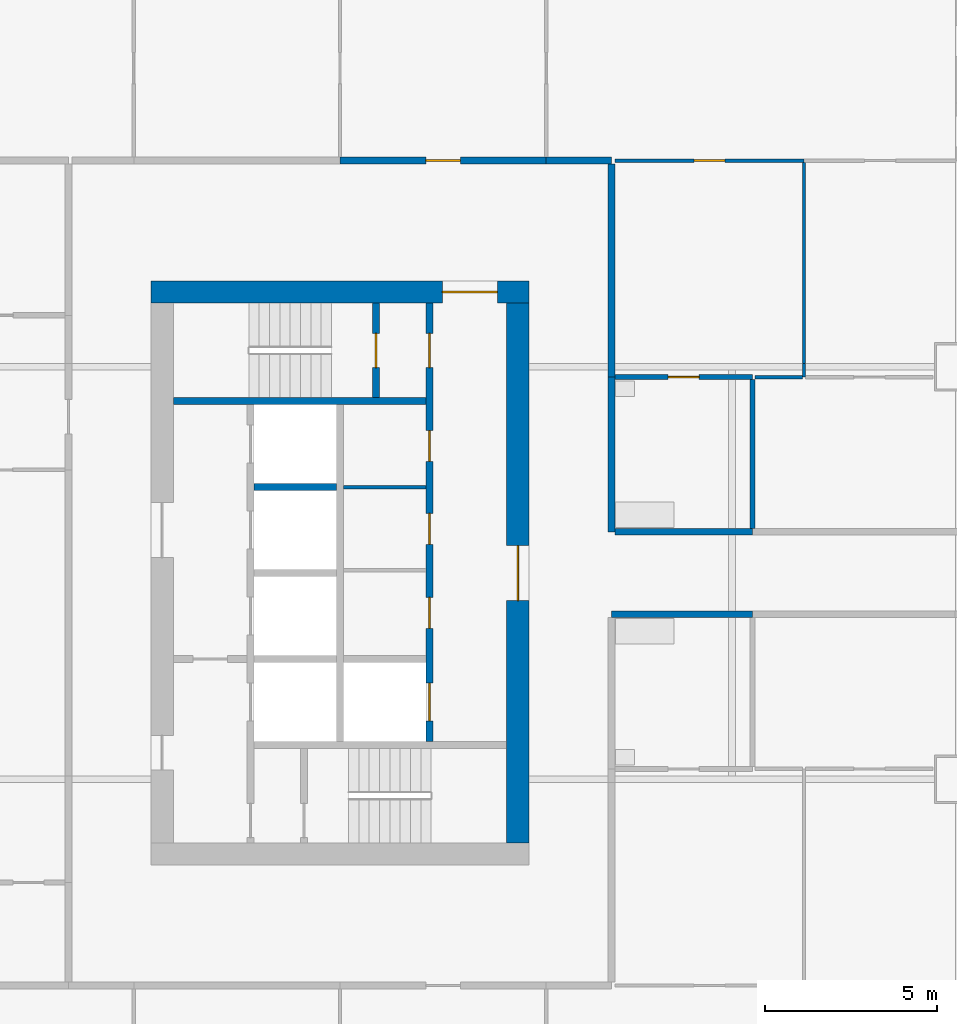
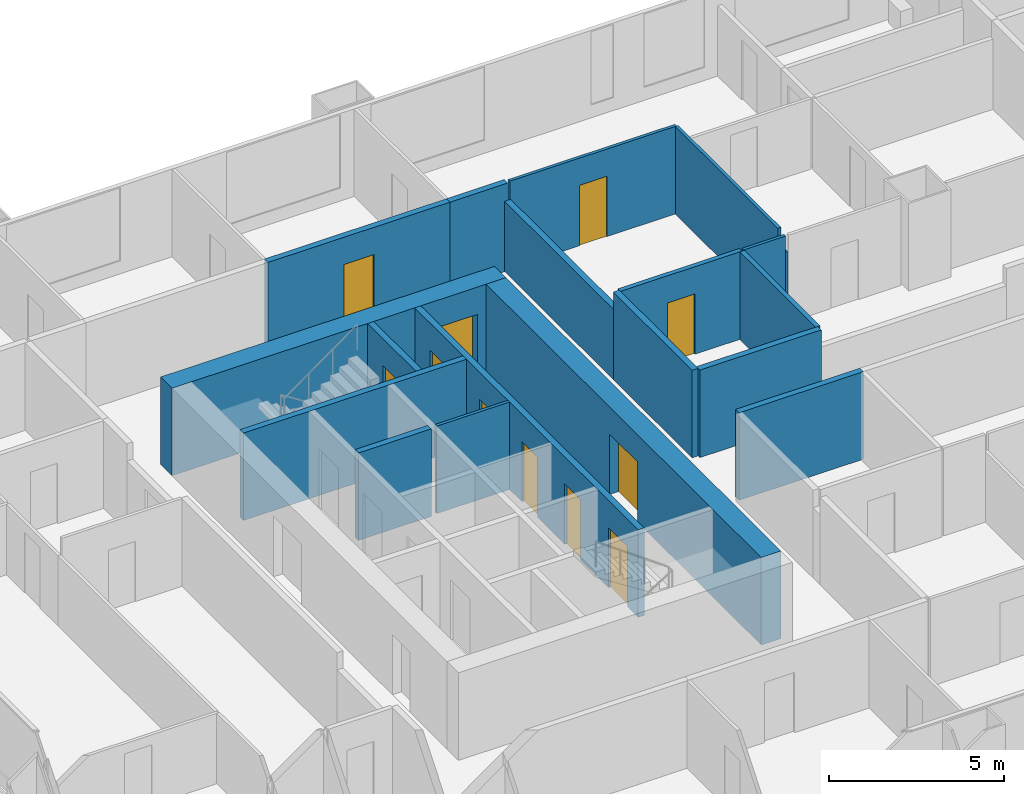
# One storey, part 4 of 11: 19 walls, 11 doors, 11 openings.
"""IFC4 building model written with IfcOpenShell, lengths in metres."""

from ifc_helpers import new_model, si_unit, direction, frame, frame_2d, origin, place, context, subcontext, project, spatial, rectangle, extrude, material, layer, layer_set, type_object, element, fill, save


model = new_model("IFC4")

# Units and contexts
model_context = context("Model", 3, precision=1e-05, world=origin(), true_north=direction((0.0, 1.0)))
body_context = subcontext(model_context, "Body", "Model", "MODEL_VIEW")
ifc_project = project(units=[si_unit("LENGTHUNIT", "METRE"), si_unit("AREAUNIT", "SQUARE_METRE"), si_unit("VOLUMEUNIT", "CUBIC_METRE"), si_unit("PLANEANGLEUNIT", "RADIAN"), si_unit("MASSUNIT", "GRAM", prefix="KILO")], contexts=[model_context])

# Site, building, storey
site_placement = place(None, origin())
site = spatial("IfcSite", under=ifc_project, at=site_placement, CompositionType="ELEMENT")
building_placement = place(site_placement, origin())
building = spatial("IfcBuilding", under=site, at=building_placement, Name="Kitamizu Gate Tower and Museum", CompositionType="ELEMENT")
storey_placement = place(building_placement, frame((0.0, 0.0, 120.75)))
storey = spatial("IfcBuildingStorey", under=building, at=storey_placement, Name="L31", CompositionType="ELEMENT", Elevation=120.75)

# Wall, opening, door
ifc_material_1 = material(Name="Concrete Fc60", Category="concrete")
ifc_layer_1 = layer(ifc_material_1, 0.64990234375)
ifc_layer_set_1 = layer_set([ifc_layer_1], Name="Concrete Fc60")
wall_type_1 = type_object("IfcWallType", Name="Core wall 650", PredefinedType="SHEAR", material=ifc_layer_set_1)
wall_1_placement = place(storey_placement, frame((12.5, 38.175048828125, 0.0), z_axis=(0.0, 0.0, 1.0), x_axis=(1.0, 0.0, 0.0)))
wall_1 = element("IfcWall", 1, at=wall_1_placement, inside=storey, type_object=wall_type_1, Name="Core wall WN", PredefinedType="SHEAR", context=body_context, shape_type="SweptSolid", body=[
    extrude(rectangle(XDim=11.0, YDim=0.64990234375, at=frame_2d((5.5, 0.0))), origin(), (0.0, 0.0, 1.0), 3.050048828125),
])
opening_1_placement = place(wall_1_placement, frame((8.47509765625, 0.0, 0.0)))
opening_1 = element("IfcOpeningElement", 2, at=opening_1_placement, cuts=wall_1, Name="Opening L31-055", PredefinedType="OPENING", context=body_context, shape_type="SweptSolid", body=[
    extrude(rectangle(XDim=1.60009765625, YDim=2.10009765625, at=frame_2d((0.800048828125, 1.050048828125))), frame((0.0, 0.3349609375, 0.0), z_axis=(0.0, -1.0, 0.0), x_axis=(1.0, 0.0, 0.0)), (0.0, 0.0, 1.0), 0.669921875),
])
ifc_material_2 = material(Name="Timber door set", Category="wood")
door_type_1 = type_object("IfcDoorType", Name="Entrance door 1600", OperationType="DOUBLE_DOOR_SINGLE_SWING", PredefinedType="DOOR", material=ifc_material_2)
door_1_placement = place(opening_1_placement, origin())
door_1 = element("IfcDoor", 3, at=door_1_placement, inside=storey, type_object=door_type_1, Name="Lobby door L31-055", OperationType="DOUBLE_DOOR_SINGLE_SWING", OverallHeight=2.10009765625, OverallWidth=1.60009765625, PredefinedType="DOOR", context=body_context, shape_type="SweptSolid", body=[
    extrude(rectangle(XDim=1.60009765625, YDim=2.10009765625, at=frame_2d((0.800048828125, 1.050048828125))), frame((0.0, 0.02490234375, 0.0), z_axis=(0.0, -1.0, 0.0), x_axis=(1.0, 0.0, 0.0)), (0.0, 0.0, 1.0), 0.050048828125),
])
fill(opening_1, door_1)

wall_2_placement = place(storey_placement, frame((23.175048828125, 22.14990234375, 0.0), z_axis=(0.0, 0.0, 1.0), x_axis=(0.0, 1.0, 0.0)))
wall_2 = element("IfcWall", 4, at=wall_2_placement, inside=storey, type_object=wall_type_1, Name="Core wall WARC", PredefinedType="SHEAR", context=body_context, shape_type="SweptSolid", body=[
    extrude(rectangle(XDim=15.7001953125, YDim=0.64990234375, at=frame_2d((7.85009765625, 0.0))), origin(), (0.0, 0.0, 1.0), 3.050048828125),
])
opening_2_placement = place(wall_2_placement, frame((7.050048828125, 0.0, 0.0)))
opening_2 = element("IfcOpeningElement", 5, at=opening_2_placement, cuts=wall_2, Name="Opening L31-056", PredefinedType="OPENING", context=body_context, shape_type="SweptSolid", body=[
    extrude(rectangle(XDim=1.60009765625, YDim=2.10009765625, at=frame_2d((0.800048828125, 1.050048828125))), frame((0.0, 0.3349609375, 0.0), z_axis=(0.0, -1.0, 0.0), x_axis=(1.0, 0.0, 0.0)), (0.0, 0.0, 1.0), 0.669921875),
])
door_2_placement = place(opening_2_placement, origin())
door_2 = element("IfcDoor", 6, at=door_2_placement, inside=storey, type_object=door_type_1, Name="Lobby door L31-056", OperationType="DOUBLE_DOOR_SINGLE_SWING", OverallHeight=2.10009765625, OverallWidth=1.60009765625, PredefinedType="DOOR", context=body_context, shape_type="SweptSolid", body=[
    extrude(rectangle(XDim=1.60009765625, YDim=2.10009765625, at=frame_2d((0.800048828125, 1.050048828125))), frame((0.0, 0.02490234375, 0.0), z_axis=(0.0, -1.0, 0.0), x_axis=(1.0, 0.0, 0.0)), (0.0, 0.0, 1.0), 0.050048828125),
])
fill(opening_2, door_2)

# Wall
ifc_material_3 = material(Name="Gypsum board on galvanised stud")
ifc_layer_2 = layer(ifc_material_3, 0.10009765625)
ifc_layer_set_2 = layer_set([ifc_layer_2], Name="Gypsum board on galvanised stud")
wall_type_2 = type_object("IfcWallType", Name="Partition 100", PredefinedType="PARTITIONING", material=ifc_layer_set_2)
wall_3_placement = place(storey_placement, frame((18.10009765625, 32.490966796875, 0.0), z_axis=(0.0, 0.0, 1.0), x_axis=(1.0, 0.0, 0.0)))
element("IfcWall", 7, at=wall_3_placement, inside=storey, type_object=wall_type_2, Name="Partition WPF2", PredefinedType="PARTITIONING", context=body_context, shape_type="SweptSolid", body=[
    extrude(rectangle(XDim=2.39990234375, YDim=0.10009765625, at=frame_2d((1.199951171875, 0.0))), origin(), (0.0, 0.0, 1.0), 3.050048828125),
])

# Wall, opening, door
ifc_material_4 = material(Name="Gypsum board on galvanised stud")
ifc_layer_3 = layer(ifc_material_4, 0.10009765625)
ifc_layer_set_3 = layer_set([ifc_layer_3], Name="Gypsum board on galvanised stud")
wall_type_3 = type_object("IfcWallType", Name="Partition 100 NOT RATED", PredefinedType="PARTITIONING", material=ifc_layer_set_3)
wall_4_placement = place(storey_placement, frame((26.0, 42.0, 0.0), z_axis=(0.0, 0.0, 1.0), x_axis=(1.0, 0.0, 0.0)))
wall_4 = element("IfcWall", 8, at=wall_4_placement, inside=storey, type_object=wall_type_3, Name="Partition L31-062", PredefinedType="PARTITIONING", context=body_context, shape_type="SweptSolid", body=[
    extrude(rectangle(XDim=5.5, YDim=0.10009765625, at=frame_2d((2.75, 0.0))), origin(), (0.0, 0.0, 1.0), 3.050048828125),
])
opening_3_placement = place(wall_4_placement, frame((2.300048828125, 0.0, 0.0)))
opening_3 = element("IfcOpeningElement", 9, at=opening_3_placement, cuts=wall_4, Name="Opening L31-022", PredefinedType="OPENING", context=body_context, shape_type="SweptSolid", body=[
    extrude(rectangle(XDim=0.89990234375, YDim=2.10009765625, at=frame_2d((0.449951171875, 1.050048828125))), frame((0.0, 0.06005859375, 0.0), z_axis=(0.0, -1.0, 0.0), x_axis=(1.0, 0.0, 0.0)), (0.0, 0.0, 1.0), 0.1201171875),
])
ifc_material_5 = material(Name="Timber door set", Category="wood")
door_type_2 = type_object("IfcDoorType", Name="Room door 900", OperationType="NOTDEFINED", PredefinedType="DOOR", material=ifc_material_5)
door_3_placement = place(opening_3_placement, frame((0.89990234375, 0.0, 0.0), x_axis=(-1.0, 0.0, 0.0)))
door_3 = element("IfcDoor", 10, at=door_3_placement, inside=storey, type_object=door_type_2, Name="Door L31-022", OperationType="SINGLE_SWING_RIGHT", OverallHeight=2.10009765625, OverallWidth=0.89990234375, PredefinedType="DOOR", context=body_context, shape_type="SweptSolid", body=[
    extrude(rectangle(XDim=0.89990234375, YDim=2.10009765625, at=frame_2d((0.449951171875, 1.050048828125))), frame((0.0, 0.02490234375, 0.0), z_axis=(0.0, -1.0, 0.0), x_axis=(1.0, 0.0, 0.0)), (0.0, 0.0, 1.0), 0.050048828125),
])
fill(opening_3, door_3)

# Walls
wall_5_placement = place(storey_placement, frame((31.5, 35.699951171875, 0.0), z_axis=(0.0, 0.0, 1.0), x_axis=(0.0, 1.0, 0.0)))
element("IfcWall", 11, at=wall_5_placement, inside=storey, type_object=wall_type_3, Name="Partition L31-070", PredefinedType="PARTITIONING", context=body_context, shape_type="SweptSolid", body=[
    extrude(rectangle(XDim=0.400146484375, YDim=0.10009765625, at=frame_2d((0.2001953125, 0.0))), origin(), (0.0, 0.0, 1.0), 2.449951171875),
])
wall_6_placement = place(storey_placement, frame((31.5, 36.10009765625, 0.0), z_axis=(0.0, 0.0, 1.0), x_axis=(0.0, 1.0, 0.0)))
element("IfcWall", 12, at=wall_6_placement, inside=storey, type_object=wall_type_3, Name="Partition L31-071", PredefinedType="PARTITIONING", context=body_context, shape_type="SweptSolid", body=[
    extrude(rectangle(XDim=5.849853515625, YDim=0.10009765625, at=frame_2d((2.9248046875, 0.0))), origin(), (0.0, 0.0, 1.0), 3.050048828125),
])
wall_7_placement = place(storey_placement, frame((30.074951171875, 35.699951171875, 0.0), z_axis=(0.0, 0.0, 1.0), x_axis=(1.0, 0.0, 0.0)))
element("IfcWall", 13, at=wall_7_placement, inside=storey, type_object=wall_type_3, Name="Partition L31-073", PredefinedType="PARTITIONING", context=body_context, shape_type="SweptSolid", body=[
    extrude(rectangle(XDim=1.375, YDim=0.10009765625, at=frame_2d((0.6875, 0.0))), origin(), (0.0, 0.0, 1.0), 3.050048828125),
])

# Wall, opening, door
ifc_material_6 = material(Name="Gypsum board on galvanised stud")
ifc_layer_4 = layer(ifc_material_6, 0.14990234375)
ifc_layer_set_4 = layer_set([ifc_layer_4], Name="Gypsum board on galvanised stud")
wall_type_4 = type_object("IfcWallType", Name="Partition 150", PredefinedType="PARTITIONING", material=ifc_layer_set_4)
wall_8_placement = place(storey_placement, frame((26.0, 35.699951171875, 0.0), z_axis=(0.0, 0.0, 1.0), x_axis=(1.0, 0.0, 0.0)))
wall_8 = element("IfcWall", 14, at=wall_8_placement, inside=storey, type_object=wall_type_4, Name="Partition L31-072", PredefinedType="PARTITIONING", context=body_context, shape_type="SweptSolid", body=[
    extrude(rectangle(XDim=4.0, YDim=0.14990234375, at=frame_2d((2.0, 0.0))), origin(), (0.0, 0.0, 1.0), 3.050048828125),
])
opening_4_placement = place(wall_8_placement, frame((1.550048828125, 0.0, 0.0)))
opening_4 = element("IfcOpeningElement", 15, at=opening_4_placement, cuts=wall_8, Name="Opening L31-028", PredefinedType="OPENING", context=body_context, shape_type="SweptSolid", body=[
    extrude(rectangle(XDim=0.89990234375, YDim=2.10009765625, at=frame_2d((0.449951171875, 1.050048828125))), frame((0.0, 0.0849609375, 0.0), z_axis=(0.0, -1.0, 0.0), x_axis=(1.0, 0.0, 0.0)), (0.0, 0.0, 1.0), 0.169921875),
])
ifc_material_7 = material(Name="Timber door set", Category="wood")
door_type_3 = type_object("IfcDoorType", Name="Bathroom door 900", OperationType="NOTDEFINED", PredefinedType="DOOR", material=ifc_material_7)
door_4_placement = place(opening_4_placement, frame((0.89990234375, 0.0, 0.0), x_axis=(-1.0, 0.0, 0.0)))
door_4 = element("IfcDoor", 16, at=door_4_placement, inside=storey, type_object=door_type_3, Name="Bathroom door L31-028", OperationType="SINGLE_SWING_RIGHT", OverallHeight=2.10009765625, OverallWidth=0.89990234375, PredefinedType="DOOR", context=body_context, shape_type="SweptSolid", body=[
    extrude(rectangle(XDim=0.89990234375, YDim=2.10009765625, at=frame_2d((0.449951171875, 1.050048828125))), frame((0.0, 0.02490234375, 0.0), z_axis=(0.0, -1.0, 0.0), x_axis=(1.0, 0.0, 0.0)), (0.0, 0.0, 1.0), 0.050048828125),
])
fill(opening_4, door_4)

# Walls
wall_9_placement = place(storey_placement, frame((30.0, 31.300048828125, 0.0), z_axis=(0.0, 0.0, 1.0), x_axis=(0.0, 1.0, 0.0)))
element("IfcWall", 17, at=wall_9_placement, inside=storey, type_object=wall_type_4, Name="Partition L31-080", PredefinedType="PARTITIONING", context=body_context, shape_type="SweptSolid", body=[
    extrude(rectangle(XDim=4.324951171875, YDim=0.14990234375, at=frame_2d((2.16259765625, 0.0))), origin(), (0.0, 0.0, 1.0), 3.050048828125),
])
ifc_material_8 = material(Name="Gypsum board on galvanised stud")
ifc_layer_5 = layer(ifc_material_8, 0.199951171875)
ifc_layer_set_5 = layer_set([ifc_layer_5], Name="Gypsum board on galvanised stud")
wall_type_5 = type_object("IfcWallType", Name="Partition 200", PredefinedType="PARTITIONING", material=ifc_layer_set_5)
wall_10_placement = place(storey_placement, frame((30.0, 28.800048828125, 0.0), z_axis=(0.0, 0.0, 1.0), x_axis=(-1.0, 0.0, 0.0)))
element("IfcWall", 18, at=wall_10_placement, inside=storey, type_object=wall_type_5, Name="Partition L31-029", PredefinedType="PARTITIONING", context=body_context, shape_type="SweptSolid", body=[
    extrude(rectangle(XDim=4.10009765625, YDim=0.199951171875, at=frame_2d((2.050048828125, 0.0))), origin(), (0.0, 0.0, 1.0), 3.050048828125),
])

# Wall, opening, door
wall_11_placement = place(storey_placement, frame((18.0, 42.0, 0.0), z_axis=(0.0, 0.0, 1.0), x_axis=(1.0, 0.0, 0.0)))
wall_11 = element("IfcWall", 19, at=wall_11_placement, inside=storey, type_object=wall_type_5, Name="Partition L31-059", PredefinedType="PARTITIONING", context=body_context, shape_type="SweptSolid", body=[
    extrude(rectangle(XDim=6.0, YDim=0.199951171875, at=frame_2d((3.0, 0.0))), origin(), (0.0, 0.0, 1.0), 3.050048828125),
])
opening_5_placement = place(wall_11_placement, frame((2.5, 0.0, 0.0)))
opening_5 = element("IfcOpeningElement", 20, at=opening_5_placement, cuts=wall_11, Name="Opening L31-020", PredefinedType="OPENING", context=body_context, shape_type="SweptSolid", body=[
    extrude(rectangle(XDim=1.0, YDim=2.10009765625, at=frame_2d((0.5, 1.050048828125))), frame((0.0, 0.10986328125, 0.0), z_axis=(0.0, -1.0, 0.0), x_axis=(1.0, 0.0, 0.0)), (0.0, 0.0, 1.0), 0.219970703125),
])
ifc_material_9 = material(Name="Timber door set", Category="wood")
door_type_4 = type_object("IfcDoorType", Name="Flat entrance door 1000", OperationType="NOTDEFINED", PredefinedType="DOOR", material=ifc_material_9)
door_5_placement = place(opening_5_placement, origin())
door_5 = element("IfcDoor", 21, at=door_5_placement, inside=storey, type_object=door_type_4, Name="Flat entrance door L31-020", OperationType="SINGLE_SWING_LEFT", OverallHeight=2.10009765625, OverallWidth=1.0, PredefinedType="DOOR", context=body_context, shape_type="SweptSolid", body=[
    extrude(rectangle(XDim=1.0, YDim=2.10009765625, at=frame_2d((0.5, 1.050048828125))), frame((0.0, 0.02490234375, 0.0), z_axis=(0.0, -1.0, 0.0), x_axis=(1.0, 0.0, 0.0)), (0.0, 0.0, 1.0), 0.050048828125),
])
fill(opening_5, door_5)

# Walls
wall_12_placement = place(storey_placement, frame((24.0, 42.0, 0.0), z_axis=(0.0, 0.0, 1.0), x_axis=(1.0, 0.0, 0.0)))
element("IfcWall", 22, at=wall_12_placement, inside=storey, type_object=wall_type_5, Name="Partition L31-064", PredefinedType="PARTITIONING", context=body_context, shape_type="SweptSolid", body=[
    extrude(rectangle(XDim=1.89990234375, YDim=0.199951171875, at=frame_2d((0.949951171875, 0.0))), origin(), (0.0, 0.0, 1.0), 3.050048828125),
])
wall_13_placement = place(storey_placement, frame((25.89990234375, 41.89990234375, 0.0), z_axis=(0.0, 0.0, 1.0), x_axis=(0.0, -1.0, 0.0)))
element("IfcWall", 23, at=wall_13_placement, inside=storey, type_object=wall_type_5, Name="Partition L31-074", PredefinedType="PARTITIONING", context=body_context, shape_type="SweptSolid", body=[
    extrude(rectangle(XDim=6.199951171875, YDim=0.199951171875, at=frame_2d((3.10009765625, 0.0))), origin(), (0.0, 0.0, 1.0), 2.449951171875),
])
wall_14_placement = place(storey_placement, frame((25.89990234375, 35.699951171875, 0.0), z_axis=(0.0, 0.0, 1.0), x_axis=(0.0, -1.0, 0.0)))
element("IfcWall", 24, at=wall_14_placement, inside=storey, type_object=wall_type_5, Name="Partition L31-081", PredefinedType="PARTITIONING", context=body_context, shape_type="SweptSolid", body=[
    extrude(rectangle(XDim=4.5, YDim=0.199951171875, at=frame_2d((2.25, 0.0))), origin(), (0.0, 0.0, 1.0), 3.050048828125),
])
wall_15_placement = place(storey_placement, frame((26.0, 31.199951171875, 0.0), z_axis=(0.0, 0.0, 1.0), x_axis=(1.0, 0.0, 0.0)))
element("IfcWall", 25, at=wall_15_placement, inside=storey, type_object=wall_type_5, Name="Partition L31-082", PredefinedType="PARTITIONING", context=body_context, shape_type="SweptSolid", body=[
    extrude(rectangle(XDim=4.0, YDim=0.199951171875, at=frame_2d((2.0, 0.0))), origin(), (0.0, 0.0, 1.0), 3.050048828125),
])

# Wall, openings, doors
ifc_material_10 = material(Name="Concrete Fc42", Category="concrete")
ifc_layer_6 = layer(ifc_material_10, 0.199951171875)
ifc_layer_set_6 = layer_set([ifc_layer_6], Name="Concrete Fc42")
wall_type_6 = type_object("IfcWallType", Name="Shaft wall 200", PredefinedType="SOLIDWALL", material=ifc_layer_set_6)
wall_16_placement = place(storey_placement, frame((20.60009765625, 25.10009765625, 0.0), z_axis=(0.0, 0.0, 1.0), x_axis=(0.0, 1.0, 0.0)))
wall_16 = element("IfcWall", 26, at=wall_16_placement, inside=storey, type_object=wall_type_6, Name="Shaft wall WEAST", PredefinedType="SOLIDWALL", context=body_context, shape_type="SweptSolid", body=[
    extrude(rectangle(XDim=12.75, YDim=0.199951171875, at=frame_2d((6.375, 0.0))), origin(), (0.0, 0.0, 1.0), 3.050048828125),
])
opening_6_placement = place(wall_16_placement, frame((0.60009765625, 0.0, 0.0)))
opening_6 = element("IfcOpeningElement", 27, at=opening_6_placement, cuts=wall_16, Name="Opening LD", PredefinedType="OPENING", context=body_context, shape_type="SweptSolid", body=[
    extrude(rectangle(XDim=1.10009765625, YDim=2.10009765625, at=frame_2d((0.550048828125, 1.050048828125))), frame((0.0, 0.10986328125, 0.0), z_axis=(0.0, -1.0, 0.0), x_axis=(1.0, 0.0, 0.0)), (0.0, 0.0, 1.0), 0.219970703125),
])
opening_7_placement = place(wall_16_placement, frame((10.875, 0.0, 0.0)))
opening_7 = element("IfcOpeningElement", 28, at=opening_7_placement, cuts=wall_16, Name="Opening L31-050", PredefinedType="OPENING", context=body_context, shape_type="SweptSolid", body=[
    extrude(rectangle(XDim=1.0, YDim=2.10009765625, at=frame_2d((0.5, 1.050048828125))), frame((0.0, 0.10986328125, 0.0), z_axis=(0.0, -1.0, 0.0), x_axis=(1.0, 0.0, 0.0)), (0.0, 0.0, 1.0), 0.219970703125),
])
opening_8_placement = place(wall_16_placement, frame((3.291015625, 0.0, 0.0)))
opening_8 = element("IfcOpeningElement", 29, at=opening_8_placement, cuts=wall_16, Name="Opening L31-057", PredefinedType="OPENING", context=body_context, shape_type="SweptSolid", body=[
    extrude(rectangle(XDim=0.89990234375, YDim=2.10009765625, at=frame_2d((0.449951171875, 1.050048828125))), frame((0.0, 0.10986328125, 0.0), z_axis=(0.0, -1.0, 0.0), x_axis=(1.0, 0.0, 0.0)), (0.0, 0.0, 1.0), 0.219970703125),
])
opening_9_placement = place(wall_16_placement, frame((5.736572265625, 0.0, 0.0)))
opening_9 = element("IfcOpeningElement", 30, at=opening_9_placement, cuts=wall_16, Name="Opening L31-058", PredefinedType="OPENING", context=body_context, shape_type="SweptSolid", body=[
    extrude(rectangle(XDim=0.89990234375, YDim=2.10009765625, at=frame_2d((0.449951171875, 1.050048828125))), frame((0.0, 0.10986328125, 0.0), z_axis=(0.0, -1.0, 0.0), x_axis=(1.0, 0.0, 0.0)), (0.0, 0.0, 1.0), 0.219970703125),
])
opening_10_placement = place(wall_16_placement, frame((8.1455078125, 0.0, 0.0)))
opening_10 = element("IfcOpeningElement", 31, at=opening_10_placement, cuts=wall_16, Name="Opening L31-059", PredefinedType="OPENING", context=body_context, shape_type="SweptSolid", body=[
    extrude(rectangle(XDim=0.89990234375, YDim=2.10009765625, at=frame_2d((0.449951171875, 1.050048828125))), frame((0.0, 0.10986328125, 0.0), z_axis=(0.0, -1.0, 0.0), x_axis=(1.0, 0.0, 0.0)), (0.0, 0.0, 1.0), 0.219970703125),
])
ifc_material_11 = material(Name="Hollow metal door set")
door_type_5 = type_object("IfcDoorType", Name="Fire door 1000", OperationType="NOTDEFINED", PredefinedType="DOOR", material=ifc_material_11)
door_6_placement = place(opening_7_placement, origin())
door_6 = element("IfcDoor", 32, at=door_6_placement, inside=storey, type_object=door_type_5, Name="Stair lobby door L31-050", OperationType="SINGLE_SWING_LEFT", OverallHeight=2.10009765625, OverallWidth=1.0, PredefinedType="DOOR", context=body_context, shape_type="SweptSolid", body=[
    extrude(rectangle(XDim=1.0, YDim=2.10009765625, at=frame_2d((0.5, 1.050048828125))), frame((0.0, 0.02490234375, 0.0), z_axis=(0.0, -1.0, 0.0), x_axis=(1.0, 0.0, 0.0)), (0.0, 0.0, 1.0), 0.050048828125),
])
fill(opening_7, door_6)
ifc_material_12 = material(Name="Hollow metal door set")
door_type_6 = type_object("IfcDoorType", Name="Landing door 1100", OperationType="SLIDING_TO_LEFT", PredefinedType="DOOR", material=ifc_material_12)
door_7_placement = place(opening_6_placement, origin())
door_7 = element("IfcDoor", 33, at=door_7_placement, inside=storey, type_object=door_type_6, Name="Landing door WSV1", OperationType="SLIDING_TO_LEFT", OverallHeight=2.10009765625, OverallWidth=1.10009765625, PredefinedType="DOOR", context=body_context, shape_type="SweptSolid", body=[
    extrude(rectangle(XDim=1.10009765625, YDim=2.10009765625, at=frame_2d((0.550048828125, 1.050048828125))), frame((0.0, 0.02490234375, 0.0), z_axis=(0.0, -1.0, 0.0), x_axis=(1.0, 0.0, 0.0)), (0.0, 0.0, 1.0), 0.050048828125),
])
fill(opening_6, door_7)
ifc_material_13 = material(Name="Timber door set", Category="wood")
door_type_7 = type_object("IfcDoorType", Name="Service door 900", OperationType="NOTDEFINED", PredefinedType="DOOR", material=ifc_material_13)
door_8_placement = place(opening_8_placement, origin())
door_8 = element("IfcDoor", 34, at=door_8_placement, inside=storey, type_object=door_type_7, Name="Service door L31-057", OperationType="SINGLE_SWING_LEFT", OverallHeight=2.10009765625, OverallWidth=0.89990234375, PredefinedType="DOOR", context=body_context, shape_type="SweptSolid", body=[
    extrude(rectangle(XDim=0.89990234375, YDim=2.10009765625, at=frame_2d((0.449951171875, 1.050048828125))), frame((0.0, 0.02490234375, 0.0), z_axis=(0.0, -1.0, 0.0), x_axis=(1.0, 0.0, 0.0)), (0.0, 0.0, 1.0), 0.050048828125),
])
fill(opening_8, door_8)
door_9_placement = place(opening_9_placement, origin())
door_9 = element("IfcDoor", 35, at=door_9_placement, inside=storey, type_object=door_type_7, Name="Service door L31-058", OperationType="SINGLE_SWING_RIGHT", OverallHeight=2.10009765625, OverallWidth=0.89990234375, PredefinedType="DOOR", context=body_context, shape_type="SweptSolid", body=[
    extrude(rectangle(XDim=0.89990234375, YDim=2.10009765625, at=frame_2d((0.449951171875, 1.050048828125))), frame((0.0, 0.02490234375, 0.0), z_axis=(0.0, -1.0, 0.0), x_axis=(1.0, 0.0, 0.0)), (0.0, 0.0, 1.0), 0.050048828125),
])
fill(opening_9, door_9)
door_10_placement = place(opening_10_placement, origin())
door_10 = element("IfcDoor", 36, at=door_10_placement, inside=storey, type_object=door_type_7, Name="Service door L31-059", OperationType="SINGLE_SWING_LEFT", OverallHeight=2.10009765625, OverallWidth=0.89990234375, PredefinedType="DOOR", context=body_context, shape_type="SweptSolid", body=[
    extrude(rectangle(XDim=0.89990234375, YDim=2.10009765625, at=frame_2d((0.449951171875, 1.050048828125))), frame((0.0, 0.02490234375, 0.0), z_axis=(0.0, -1.0, 0.0), x_axis=(1.0, 0.0, 0.0)), (0.0, 0.0, 1.0), 0.050048828125),
])
fill(opening_10, door_10)

# Wall
wall_17_placement = place(storey_placement, frame((13.14990234375, 35.0, 0.0), z_axis=(0.0, 0.0, 1.0), x_axis=(1.0, 0.0, 0.0)))
element("IfcWall", 37, at=wall_17_placement, inside=storey, type_object=wall_type_6, Name="Shaft wall WNB", PredefinedType="SOLIDWALL", context=body_context, shape_type="SweptSolid", body=[
    extrude(rectangle(XDim=7.35009765625, YDim=0.199951171875, at=frame_2d((3.675048828125, 0.0))), origin(), (0.0, 0.0, 1.0), 3.050048828125),
])

# Wall, opening, door
wall_18_placement = place(storey_placement, frame((19.050048828125, 35.10009765625, 0.0), z_axis=(0.0, 0.0, 1.0), x_axis=(0.0, 1.0, 0.0)))
wall_18 = element("IfcWall", 38, at=wall_18_placement, inside=storey, type_object=wall_type_6, Name="Shaft wall WNZ", PredefinedType="SOLIDWALL", context=body_context, shape_type="SweptSolid", body=[
    extrude(rectangle(XDim=2.75, YDim=0.199951171875, at=frame_2d((1.375, 0.0))), origin(), (0.0, 0.0, 1.0), 3.050048828125),
])
opening_11_placement = place(wall_18_placement, frame((0.875, 0.0, 0.0)))
opening_11 = element("IfcOpeningElement", 39, at=opening_11_placement, cuts=wall_18, Name="Opening L31-051", PredefinedType="OPENING", context=body_context, shape_type="SweptSolid", body=[
    extrude(rectangle(XDim=1.0, YDim=2.10009765625, at=frame_2d((0.5, 1.050048828125))), frame((0.0, 0.10986328125, 0.0), z_axis=(0.0, -1.0, 0.0), x_axis=(1.0, 0.0, 0.0)), (0.0, 0.0, 1.0), 0.219970703125),
])
door_11_placement = place(opening_11_placement, origin())
door_11 = element("IfcDoor", 40, at=door_11_placement, inside=storey, type_object=door_type_5, Name="Stair door L31-051", OperationType="SINGLE_SWING_RIGHT", OverallHeight=2.10009765625, OverallWidth=1.0, PredefinedType="DOOR", context=body_context, shape_type="SweptSolid", body=[
    extrude(rectangle(XDim=1.0, YDim=2.10009765625, at=frame_2d((0.5, 1.050048828125))), frame((0.0, 0.02490234375, 0.0), z_axis=(0.0, -1.0, 0.0), x_axis=(1.0, 0.0, 0.0)), (0.0, 0.0, 1.0), 0.050048828125),
])
fill(opening_11, door_11)

# Wall
wall_19_placement = place(storey_placement, frame((15.5, 32.5, 0.0), z_axis=(0.0, 0.0, 1.0), x_axis=(1.0, 0.0, 0.0)))
element("IfcWall", 41, at=wall_19_placement, inside=storey, type_object=wall_type_6, Name="Shaft wall WDVW2", PredefinedType="SOLIDWALL", context=body_context, shape_type="SweptSolid", body=[
    extrude(rectangle(XDim=2.39990234375, YDim=0.199951171875, at=frame_2d((1.199951171875, 0.0))), origin(), (0.0, 0.0, 1.0), 3.050048828125),
])

save(model, "model.ifc")
